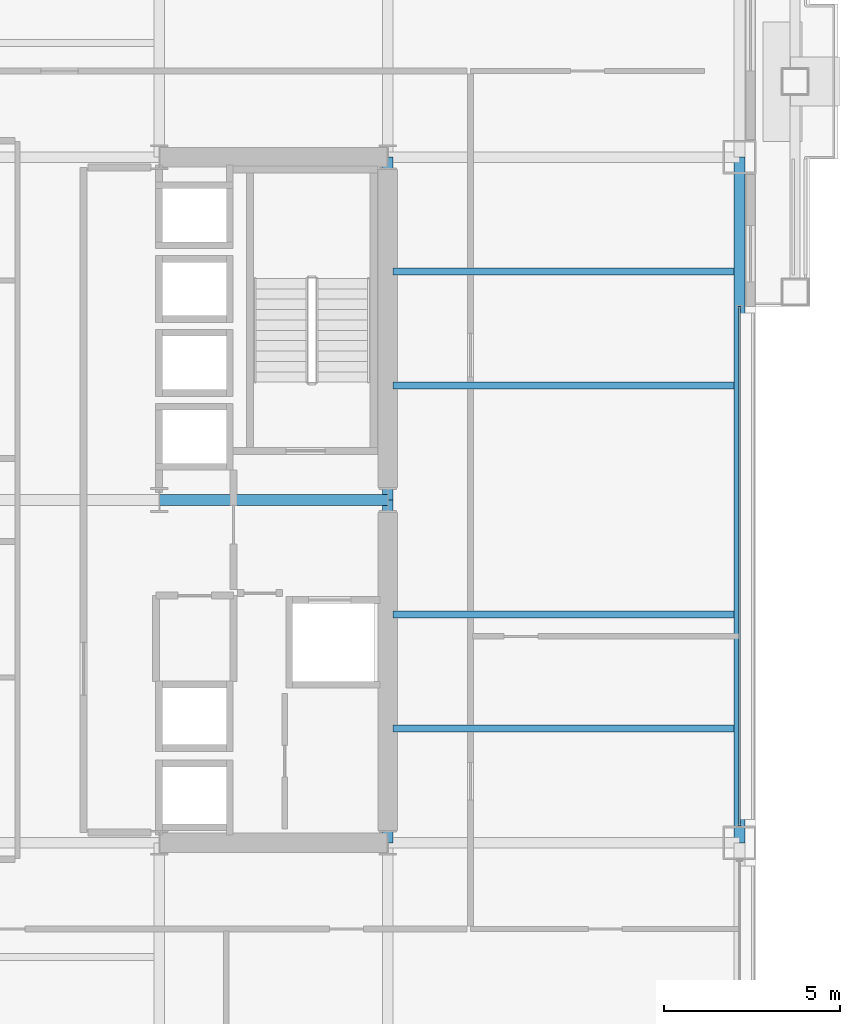
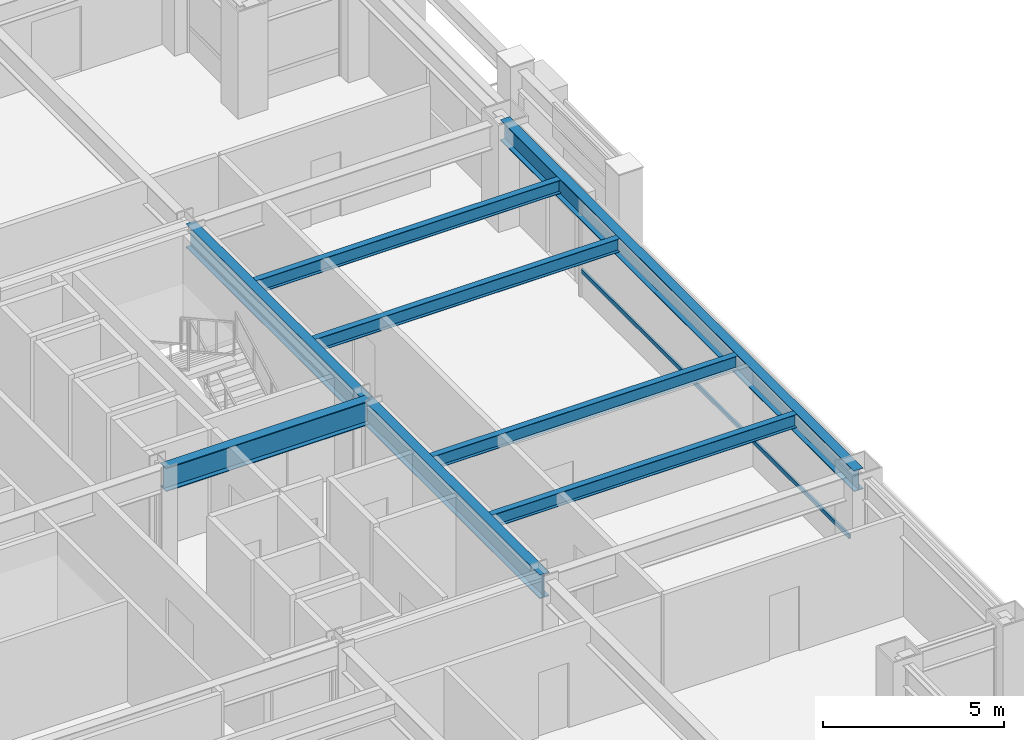
# One storey, part 13 of 31: 8 beams, 1 member, 1 element without a shape of its own.
"""IFC4 building model written with IfcOpenShell, lengths in metres."""

from ifc_helpers import new_model, si_unit, direction, frame, origin, origin_2d, place, context, subcontext, project, spatial, hollow_rectangle, i_section, extrude, material, layer, layer_set, material_profile, profile_set, type_object, element, aggregate, save


model = new_model("IFC4")

# Units and contexts
model_context = context("Model", 3, precision=1e-05, world=origin(), true_north=direction((0.0, 1.0)))
body_context = subcontext(model_context, "Body", "Model", "MODEL_VIEW")
ifc_project = project(units=[si_unit("LENGTHUNIT", "METRE"), si_unit("AREAUNIT", "SQUARE_METRE"), si_unit("VOLUMEUNIT", "CUBIC_METRE"), si_unit("PLANEANGLEUNIT", "RADIAN"), si_unit("MASSUNIT", "GRAM", prefix="KILO")], contexts=[model_context])

# Site, building, storey
site_placement = place(None, origin())
site = spatial("IfcSite", under=ifc_project, at=site_placement, CompositionType="ELEMENT")
building_placement = place(site_placement, origin())
building = spatial("IfcBuilding", under=site, at=building_placement, Name="Brelmoor Portico Tower", CompositionType="ELEMENT")
storey_placement = place(building_placement, frame((0.0, 0.0, 27.60009765625)))
storey = spatial("IfcBuildingStorey", under=building, at=storey_placement, Name="L06", CompositionType="ELEMENT", Elevation=27.60009765625)

# Beams
ifc_material_1 = material(Name="Steel Q355B", Category="steel")
ifc_material_profile_1 = material_profile(ifc_material_1, i_section(OverallWidth=0.199951171875, OverallDepth=0.449951171875, WebThickness=0.009033203125, FlangeThickness=0.013916015625, at=origin_2d()), Name="HN 450x200x9x14")
ifc_profile_set_1 = profile_set([ifc_material_profile_1], Name="Steel Q355B")
beam_type_1 = type_object("IfcBeamType", Name="BM-JS-450", PredefinedType="JOIST", material=ifc_profile_set_1)
for number, where, z_axis, x_axis, name in (
    (1, (14.699951171875, -6.5, 3.1748046875), (1.0, 0.0, 0.0), (0.0, 1.0, 0.0), "L06 Secondary Wing Joist JS-E09"),
    (2, (14.699951171875, -3.25, 3.1748046875), (1.0, 0.0, 0.0), (0.0, 1.0, 0.0), "L06 Secondary Wing Joist JS-E10"),
    (3, (14.699951171875, 3.25, 3.1748046875), (1.0, 0.0, 0.0), (0.0, 1.0, 0.0), "L06 Secondary Wing Joist JS-E11"),
    (4, (14.699951171875, 6.5, 3.1748046875), (1.0, 0.0, 0.0), (0.0, 1.0, 0.0), "L06 Secondary Wing Joist JS-E12"),
):
    element("IfcBeam", number, at=place(storey_placement, frame(where, z_axis=z_axis, x_axis=x_axis)), inside=storey, type_object=beam_type_1, Name=name, PredefinedType="JOIST", context=body_context, shape_type="SweptSolid", body=[
        extrude(i_section(OverallWidth=0.199951171875, OverallDepth=0.449951171875, WebThickness=0.009033203125, FlangeThickness=0.013916015625, at=origin_2d()), origin(), (0.0, 0.0, 1.0), 9.699951171875),
    ])
ifc_material_profile_2 = material_profile(ifc_material_1, i_section(OverallWidth=0.300048828125, OverallDepth=0.800048828125, WebThickness=0.013916015625, FlangeThickness=0.02587890625, at=origin_2d()), Name="HN 800x300x14x26")
ifc_profile_set_2 = profile_set([ifc_material_profile_2], Name="Steel Q355B")
beam_type_2 = type_object("IfcBeamType", Name="BM-PG-800", PredefinedType="BEAM", material=ifc_profile_set_2)
for number, where, z_axis, x_axis, name in (
    (5, (14.550048828125, -9.75, 3.0), (0.0, 1.0, 0.0), (-1.0, 0.0, 0.0), "L06 Primary Floor Girder PG-12"),
    (6, (14.550048828125, 0.0, 3.0), (0.0, 1.0, 0.0), (-1.0, 0.0, 0.0), "L06 Primary Floor Girder PG-13"),
):
    element("IfcBeam", number, at=place(storey_placement, frame(where, z_axis=z_axis, x_axis=x_axis)), inside=storey, type_object=beam_type_2, Name=name, PredefinedType="BEAM", context=body_context, shape_type="SweptSolid", body=[
        extrude(i_section(OverallWidth=0.300048828125, OverallDepth=0.800048828125, WebThickness=0.013916015625, FlangeThickness=0.02587890625, at=origin_2d()), origin(), (0.0, 0.0, 1.0), 9.75),
    ])
beam_1_placement = place(storey_placement, frame((8.050048828125, 0.0, 3.0), z_axis=(1.0, 0.0, 0.0), x_axis=(0.0, 1.0, 0.0)))
element("IfcBeam", 7, at=beam_1_placement, inside=storey, type_object=beam_type_2, Name="L06 Primary Floor Girder PG-26", PredefinedType="BEAM", context=body_context, shape_type="SweptSolid", body=[
    extrude(i_section(OverallWidth=0.300048828125, OverallDepth=0.800048828125, WebThickness=0.013916015625, FlangeThickness=0.02587890625, at=origin_2d()), origin(), (0.0, 0.0, 1.0), 6.5),
])
ifc_material_profile_3 = material_profile(ifc_material_1, i_section(OverallWidth=0.300048828125, OverallDepth=0.699951171875, WebThickness=0.012939453125, FlangeThickness=0.02392578125, at=origin_2d()), Name="HN 700x300x13x24")
ifc_profile_set_3 = profile_set([ifc_material_profile_3], Name="Steel Q355B")
beam_type_3 = type_object("IfcBeamType", Name="BM-SP-700", PredefinedType="SPANDREL", material=ifc_profile_set_3)
beam_2_placement = place(storey_placement, frame((24.550048828125, -9.75, 3.0498046875), z_axis=(0.0, 1.0, 0.0), x_axis=(-1.0, 0.0, 0.0)))
element("IfcBeam", 8, at=beam_2_placement, inside=storey, type_object=beam_type_3, Name="L06 Perimeter Spandrel Beam SP-23", PredefinedType="SPANDREL", context=body_context, shape_type="SweptSolid", body=[
    extrude(i_section(OverallWidth=0.300048828125, OverallDepth=0.699951171875, WebThickness=0.012939453125, FlangeThickness=0.02392578125, at=origin_2d()), origin(), (0.0, 0.0, 1.0), 19.5),
])

# Curtain wall, member
ifc_material_2 = material(Name="Anodised Aluminium Alloy 6063-T6", Category="aluminium")
ifc_layer = layer(ifc_material_2, 0.179931640625)
ifc_layer_set = layer_set([ifc_layer], Name="Anodised Aluminium Alloy 6063-T6")
curtain_wall_type = type_object("IfcCurtainWallType", Name="CW-TOWER-Z1", PredefinedType="NOTDEFINED", material=ifc_layer_set)
curtain_wall_placement = place(storey_placement, origin())
curtain_wall = element("IfcCurtainWall", 9, at=curtain_wall_placement, inside=storey, type_object=curtain_wall_type, Name="L06 Curtain Wall CW-L06-4L-2", PredefinedType="NOTDEFINED")
ifc_material_profile_4 = material_profile(ifc_material_2, hollow_rectangle(XDim=0.06494140625, YDim=0.139892578125, WallThickness=0.00390625, at=origin_2d()), Name="ALU TRANSOM 65x140")
ifc_profile_set_4 = profile_set([ifc_material_profile_4], Name="Anodised Aluminium Alloy 6063-T6")
member_type = type_object("IfcMemberType", Name="MB-CW-TRAN-140", PredefinedType="USERDEFINED", material=ifc_profile_set_4)
member_placement = place(storey_placement, frame((24.550048828125, -9.264892578125, 0.849853515625), z_axis=(0.0, 1.0, 0.0), x_axis=(-1.0, 0.0, 0.0)))
member = element("IfcMember", 10, at=member_placement, type_object=member_type, Name="CW-L06-4L-2 Transom 1-00", ObjectType="TRANSOM", PredefinedType="USERDEFINED", context=body_context, shape_type="SweptSolid", body=[
    extrude(hollow_rectangle(XDim=0.06494140625, YDim=0.139892578125, WallThickness=0.00390625, at=origin_2d()), origin(), (0.0, 0.0, 1.0), 14.764892578125),
])
aggregate(curtain_wall, [member])

save(model, "model.ifc")
